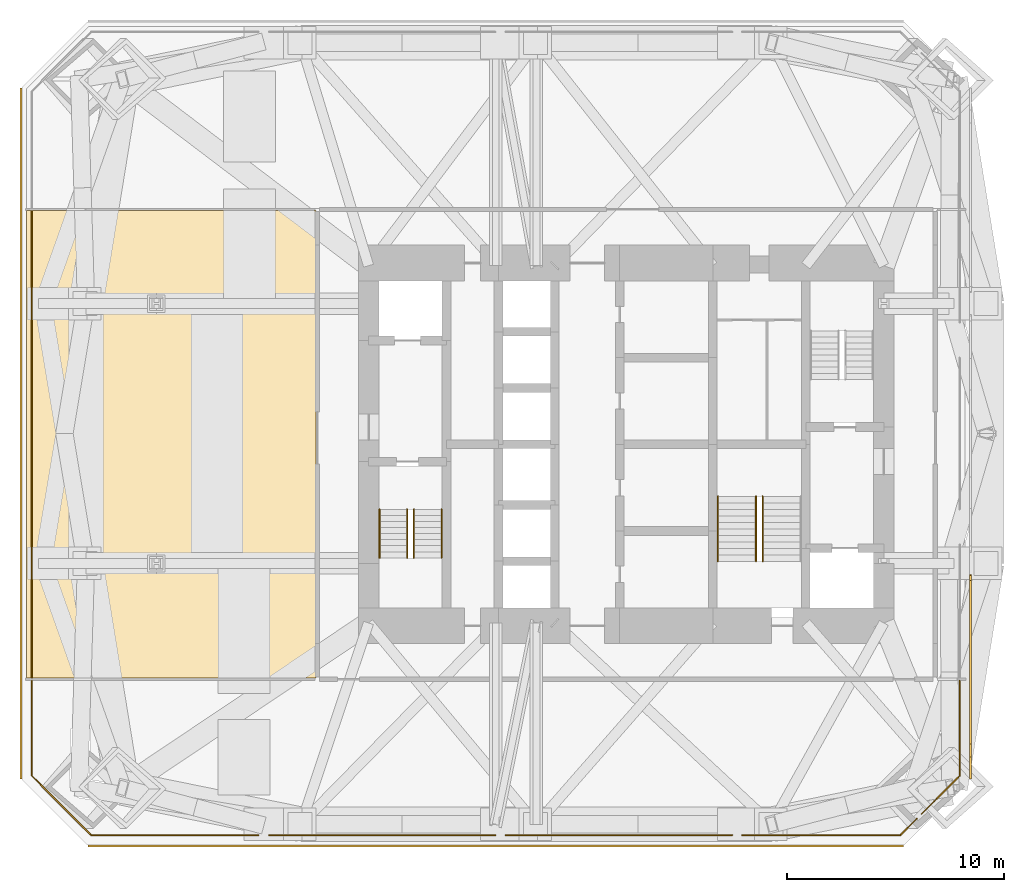
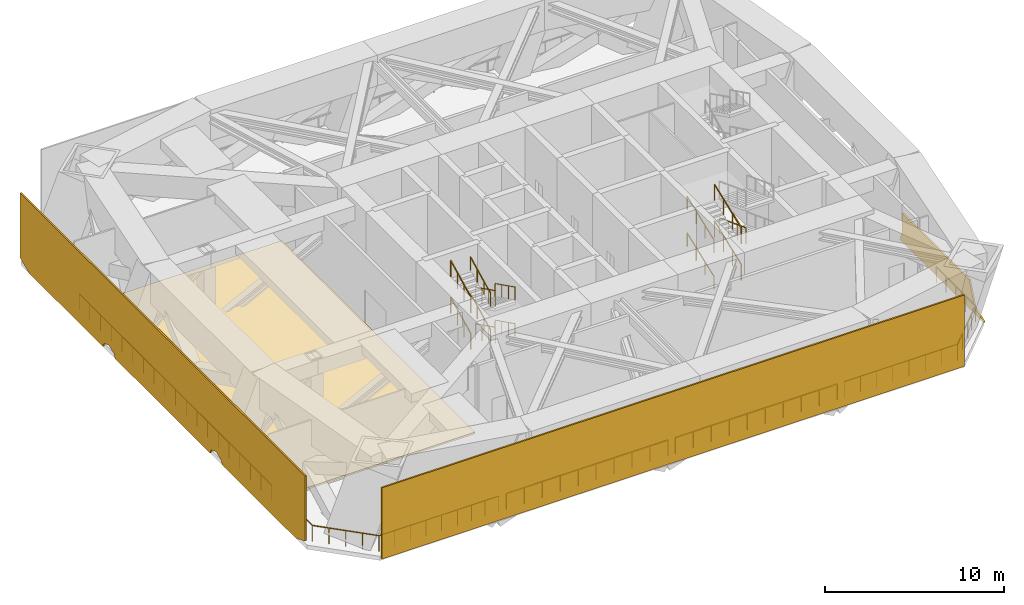
# One storey, part 7 of 8: 24 railings, 3 shading devices, 1 covering.
"""IFC4 building model written with IfcOpenShell, lengths in metres."""

from ifc_helpers import new_model, si_unit, direction, frame, origin, origin_2d, place, context, subcontext, project, spatial, polyline, rectangle, circle, outline, extrude, material, layer, layer_set, constituent, constituent_set, type_object, element, save


model = new_model("IFC4")

# Units and contexts
model_context = context("Model", 3, precision=1e-05, world=origin(), true_north=direction((0.0, 1.0)))
body_context = subcontext(model_context, "Body", "Model", "MODEL_VIEW")
ifc_project = project(units=[si_unit("LENGTHUNIT", "METRE"), si_unit("AREAUNIT", "SQUARE_METRE"), si_unit("VOLUMEUNIT", "CUBIC_METRE"), si_unit("PLANEANGLEUNIT", "RADIAN"), si_unit("MASSUNIT", "GRAM", prefix="KILO")], contexts=[model_context])

# Site, building, storey
site_placement = place(None, origin())
site = spatial("IfcSite", under=ifc_project, at=site_placement, CompositionType="ELEMENT")
building_placement = place(site_placement, origin())
building = spatial("IfcBuilding", under=site, at=building_placement, Name="Jalousie Tower", CompositionType="ELEMENT")
storey_placement = place(building_placement, frame((0.0, 0.0, 79.75)))
storey = spatial("IfcBuildingStorey", under=building, at=storey_placement, Name="L21", CompositionType="ELEMENT", Elevation=79.75)

# Covering
ifc_material_1 = material(Name="Sand-cement screed on resilient layer", Category="concrete")
ifc_layer_1 = layer(ifc_material_1, 0.1201171875)
ifc_layer_set_1 = layer_set([ifc_layer_1], Name="Sand-cement screed on resilient layer")
covering_type = type_object("IfcCoveringType", Name="FLOATING PLANT SCREED 120", PredefinedType="FLOORING", material=ifc_layer_set_1)
covering_placement = place(storey_placement, origin())
element("IfcCovering", 1, at=covering_placement, inside=storey, type_object=covering_type, Name="Floating screed Air handling plant room", PredefinedType="FLOORING", context=body_context, shape_type="SweptSolid", body=[
    extrude(outline(polyline([(17.574951171875, 7.699951171875), (4.199951171875, 7.699951171875), (4.199951171875, 29.300048828125), (17.574951171875, 29.300048828125), (17.574951171875, 7.699951171875)])), origin(), (0.0, 0.0, 1.0), 0.1201171875),
])

# Railings
ifc_material_2 = material(Name="Stainless steel AISI 316", Category="steel")
railing_type_1 = type_object("IfcRailingType", Name="PLANT GUARDRAIL 1100", PredefinedType="GUARDRAIL", material=ifc_material_2)
railing_1_placement = place(storey_placement, frame((7.186279296875, 0.449951171875, 0.0)))
element("IfcRailing", 2, at=railing_1_placement, inside=storey, type_object=railing_type_1, Name="Plant floor guard L21 1", PredefinedType="GUARDRAIL", context=body_context, shape_type="SweptSolid", body=[
    extrude(rectangle(XDim=0.048095703125, YDim=0.048095703125, at=origin_2d()), frame((0.0, 0.0, 1.076171875), z_axis=(-0.707106781187, 0.707106781187, 0.0), x_axis=(-0.707106781187, -0.707106781187, 0.0)), (0.0, 0.0, 1.0), 3.869873046875),
    extrude(circle(Radius=0.02099609375, at=origin_2d()), origin(), (0.0, 0.0, 1.0), 1.052001953125),
    extrude(circle(Radius=0.02099609375, at=origin_2d()), frame((-0.68408203125, 0.68408203125, 0.0)), (0.0, 0.0, 1.0), 1.052001953125),
    extrude(circle(Radius=0.02099609375, at=origin_2d()), frame((-1.3681640625, 1.3681640625, 0.0)), (0.0, 0.0, 1.0), 1.052001953125),
    extrude(circle(Radius=0.02099609375, at=origin_2d()), frame((-2.05224609375, 2.05224609375, 0.0)), (0.0, 0.0, 1.0), 1.052001953125),
    extrude(circle(Radius=0.02099609375, at=origin_2d()), frame((-2.736328125, 2.736328125, 0.0)), (0.0, 0.0, 1.0), 1.052001953125),
])
railing_2_placement = place(storey_placement, frame((4.449951171875, 3.186279296875, 0.0)))
element("IfcRailing", 3, at=railing_2_placement, inside=storey, type_object=railing_type_1, Name="Plant floor guard L21 2", PredefinedType="GUARDRAIL", context=body_context, shape_type="SweptSolid", body=[
    extrude(rectangle(XDim=0.048095703125, YDim=0.048095703125, at=origin_2d()), frame((0.0, 0.0, 1.076171875), z_axis=(0.0, 1.0, 0.0), x_axis=(-1.0, 0.0, 0.0)), (0.0, 0.0, 1.0), 4.393798828125),
    extrude(circle(Radius=0.02099609375, at=origin_2d()), origin(), (0.0, 0.0, 1.0), 1.052001953125),
    extrude(circle(Radius=0.02099609375, at=origin_2d()), frame((0.0, 1.098388671875, 0.0)), (0.0, 0.0, 1.0), 1.052001953125),
    extrude(circle(Radius=0.02099609375, at=origin_2d()), frame((0.0, 2.19677734375, 0.0)), (0.0, 0.0, 1.0), 1.052001953125),
    extrude(circle(Radius=0.02099609375, at=origin_2d()), frame((0.0, 3.29541015625, 0.0)), (0.0, 0.0, 1.0), 1.052001953125),
    extrude(circle(Radius=0.02099609375, at=origin_2d()), frame((0.0, 4.393798828125, 0.0)), (0.0, 0.0, 1.0), 1.052001953125),
])
railing_3_placement = place(storey_placement, frame((4.449951171875, 7.719970703125, 0.0)))
element("IfcRailing", 4, at=railing_3_placement, inside=storey, type_object=railing_type_1, Name="Plant floor guard L21 3", PredefinedType="GUARDRAIL", context=body_context, shape_type="SweptSolid", body=[
    extrude(rectangle(XDim=0.048095703125, YDim=0.048095703125, at=origin_2d()), frame((0.0, 0.0, 1.076171875), z_axis=(0.0, 1.0, 0.0), x_axis=(-1.0, 0.0, 0.0)), (0.0, 0.0, 1.0), 21.56005859375),
    extrude(circle(Radius=0.02099609375, at=origin_2d()), origin(), (0.0, 0.0, 1.0), 1.052001953125),
    extrude(circle(Radius=0.02099609375, at=origin_2d()), frame((0.0, 1.19775390625, 0.0)), (0.0, 0.0, 1.0), 1.052001953125),
    extrude(circle(Radius=0.02099609375, at=origin_2d()), frame((0.0, 2.3955078125, 0.0)), (0.0, 0.0, 1.0), 1.052001953125),
    extrude(circle(Radius=0.02099609375, at=origin_2d()), frame((0.0, 3.59326171875, 0.0)), (0.0, 0.0, 1.0), 1.052001953125),
    extrude(circle(Radius=0.02099609375, at=origin_2d()), frame((0.0, 4.791015625, 0.0)), (0.0, 0.0, 1.0), 1.052001953125),
    extrude(circle(Radius=0.02099609375, at=origin_2d()), frame((0.0, 5.989013671875, 0.0)), (0.0, 0.0, 1.0), 1.052001953125),
    extrude(circle(Radius=0.02099609375, at=origin_2d()), frame((0.0, 7.186767578125, 0.0)), (0.0, 0.0, 1.0), 1.052001953125),
    extrude(circle(Radius=0.02099609375, at=origin_2d()), frame((0.0, 8.384521484375, 0.0)), (0.0, 0.0, 1.0), 1.052001953125),
    extrude(circle(Radius=0.02099609375, at=origin_2d()), frame((0.0, 9.582275390625, 0.0)), (0.0, 0.0, 1.0), 1.052001953125),
    extrude(circle(Radius=0.02099609375, at=origin_2d()), frame((0.0, 10.780029296875, 0.0)), (0.0, 0.0, 1.0), 1.052001953125),
    extrude(circle(Radius=0.02099609375, at=origin_2d()), frame((0.0, 11.977783203125, 0.0)), (0.0, 0.0, 1.0), 1.052001953125),
    extrude(circle(Radius=0.02099609375, at=origin_2d()), frame((0.0, 13.175537109375, 0.0)), (0.0, 0.0, 1.0), 1.052001953125),
    extrude(circle(Radius=0.02099609375, at=origin_2d()), frame((0.0, 14.373291015625, 0.0)), (0.0, 0.0, 1.0), 1.052001953125),
    extrude(circle(Radius=0.02099609375, at=origin_2d()), frame((0.0, 15.571044921875, 0.0)), (0.0, 0.0, 1.0), 1.052001953125),
    extrude(circle(Radius=0.02099609375, at=origin_2d()), frame((0.0, 16.76904296875, 0.0)), (0.0, 0.0, 1.0), 1.052001953125),
    extrude(circle(Radius=0.02099609375, at=origin_2d()), frame((0.0, 17.966796875, 0.0)), (0.0, 0.0, 1.0), 1.052001953125),
    extrude(circle(Radius=0.02099609375, at=origin_2d()), frame((0.0, 19.16455078125, 0.0)), (0.0, 0.0, 1.0), 1.052001953125),
    extrude(circle(Radius=0.02099609375, at=origin_2d()), frame((0.0, 20.3623046875, 0.0)), (0.0, 0.0, 1.0), 1.052001953125),
    extrude(circle(Radius=0.02099609375, at=origin_2d()), frame((0.0, 21.56005859375, 0.0)), (0.0, 0.0, 1.0), 1.052001953125),
])
railing_4_placement = place(storey_placement, frame((47.300048828125, 7.580078125, 0.0)))
element("IfcRailing", 5, at=railing_4_placement, inside=storey, type_object=railing_type_1, Name="Plant floor guard L21 12", PredefinedType="GUARDRAIL", context=body_context, shape_type="SweptSolid", body=[
    extrude(rectangle(XDim=0.048095703125, YDim=0.048095703125, at=origin_2d()), frame((0.0, 0.0, 1.076171875), z_axis=(0.0, -1.0, 0.0), x_axis=(1.0, 0.0, 0.0)), (0.0, 0.0, 1.0), 4.393798828125),
    extrude(circle(Radius=0.02099609375, at=origin_2d()), origin(), (0.0, 0.0, 1.0), 1.052001953125),
    extrude(circle(Radius=0.02099609375, at=origin_2d()), frame((0.0, -1.098388671875, 0.0)), (0.0, 0.0, 1.0), 1.052001953125),
    extrude(circle(Radius=0.02099609375, at=origin_2d()), frame((0.0, -2.19677734375, 0.0)), (0.0, 0.0, 1.0), 1.052001953125),
    extrude(circle(Radius=0.02099609375, at=origin_2d()), frame((0.0, -3.29541015625, 0.0)), (0.0, 0.0, 1.0), 1.052001953125),
    extrude(circle(Radius=0.02099609375, at=origin_2d()), frame((0.0, -4.393798828125, 0.0)), (0.0, 0.0, 1.0), 1.052001953125),
])
railing_5_placement = place(storey_placement, frame((45.324951171875, 1.21142578125, 0.0)))
element("IfcRailing", 6, at=railing_5_placement, inside=storey, type_object=railing_type_1, Name="Plant floor guard L21 17", PredefinedType="GUARDRAIL", context=body_context, shape_type="SweptSolid", body=[
    extrude(rectangle(XDim=0.048095703125, YDim=0.048095703125, at=origin_2d()), frame((0.0, 0.0, 1.076171875), z_axis=(-0.706993399199, -0.707220144997, 0.0), x_axis=(0.707220144997, -0.706993399199, 0.0)), (0.0, 0.0, 1.0), 1.07666015625),
    extrude(circle(Radius=0.02099609375, at=origin_2d()), origin(), (0.0, 0.0, 1.0), 1.052001953125),
    extrude(circle(Radius=0.02099609375, at=origin_2d()), frame((-0.76123046875, -0.761474609375, 0.0)), (0.0, 0.0, 1.0), 1.052001953125),
])
railing_6_placement = place(storey_placement, frame((47.300048828125, 3.186279296875, 0.0)))
element("IfcRailing", 7, at=railing_6_placement, inside=storey, type_object=railing_type_1, Name="Plant floor guard L21 18", PredefinedType="GUARDRAIL", context=body_context, shape_type="SweptSolid", body=[
    extrude(rectangle(XDim=0.048095703125, YDim=0.048095703125, at=origin_2d()), frame((0.0, 0.0, 1.076171875), z_axis=(-0.70715585345, -0.707057705517, 0.0), x_axis=(0.707057705517, -0.70715585345, 0.0)), (0.0, 0.0, 1.0), 2.487548828125),
    extrude(circle(Radius=0.02099609375, at=origin_2d()), origin(), (0.0, 0.0, 1.0), 1.052001953125),
    extrude(circle(Radius=0.02099609375, at=origin_2d()), frame((-0.58642578125, -0.586181640625, 0.0)), (0.0, 0.0, 1.0), 1.052001953125),
    extrude(circle(Radius=0.02099609375, at=origin_2d()), frame((-1.172607421875, -1.172607421875, 0.0)), (0.0, 0.0, 1.0), 1.052001953125),
    extrude(circle(Radius=0.02099609375, at=origin_2d()), frame((-1.759033203125, -1.7587890625, 0.0)), (0.0, 0.0, 1.0), 1.052001953125),
])
railing_7_placement = place(storey_placement, frame((12.22998046875, 0.449951171875, 0.0)))
element("IfcRailing", 8, at=railing_7_placement, inside=storey, type_object=railing_type_1, Name="Plant floor guard L21 19", PredefinedType="GUARDRAIL", context=body_context, shape_type="SweptSolid", body=[
    extrude(rectangle(XDim=0.048095703125, YDim=0.048095703125, at=origin_2d()), frame((0.0, 0.0, 1.076171875), z_axis=(-1.0, 0.0, 0.0), x_axis=(0.0, -1.0, 0.0)), (0.0, 0.0, 1.0), 5.043701171875),
    extrude(circle(Radius=0.02099609375, at=origin_2d()), origin(), (0.0, 0.0, 1.0), 1.052001953125),
    extrude(circle(Radius=0.02099609375, at=origin_2d()), frame((-1.0087890625, 0.0, 0.0)), (0.0, 0.0, 1.0), 1.052001953125),
    extrude(circle(Radius=0.02099609375, at=origin_2d()), frame((-2.017578125, 0.0, 0.0)), (0.0, 0.0, 1.0), 1.052001953125),
    extrude(circle(Radius=0.02099609375, at=origin_2d()), frame((-3.026123046875, 0.0, 0.0)), (0.0, 0.0, 1.0), 1.052001953125),
    extrude(circle(Radius=0.02099609375, at=origin_2d()), frame((-4.034912109375, 0.0, 0.0)), (0.0, 0.0, 1.0), 1.052001953125),
    extrude(circle(Radius=0.02099609375, at=origin_2d()), frame((-5.043701171875, 0.0, 0.0)), (0.0, 0.0, 1.0), 1.052001953125),
])
railing_8_placement = place(storey_placement, frame((14.91748046875, 0.449951171875, 0.0)))
element("IfcRailing", 9, at=railing_8_placement, inside=storey, type_object=railing_type_1, Name="Plant floor guard L21 20", PredefinedType="GUARDRAIL", context=body_context, shape_type="SweptSolid", body=[
    extrude(rectangle(XDim=0.048095703125, YDim=0.048095703125, at=origin_2d()), frame((0.0, 0.0, 1.076171875), z_axis=(-1.0, 0.0, 0.0), x_axis=(0.0, -1.0, 0.0)), (0.0, 0.0, 1.0), 2.6474609375),
    extrude(circle(Radius=0.02099609375, at=origin_2d()), origin(), (0.0, 0.0, 1.0), 1.052001953125),
    extrude(circle(Radius=0.02099609375, at=origin_2d()), frame((-0.882568359375, 0.0, 0.0)), (0.0, 0.0, 1.0), 1.052001953125),
    extrude(circle(Radius=0.02099609375, at=origin_2d()), frame((-1.764892578125, 0.0, 0.0)), (0.0, 0.0, 1.0), 1.052001953125),
    extrude(circle(Radius=0.02099609375, at=origin_2d()), frame((-2.6474609375, 0.0, 0.0)), (0.0, 0.0, 1.0), 1.052001953125),
])
railing_9_placement = place(storey_placement, frame((25.85498046875, 0.449951171875, 0.0)))
element("IfcRailing", 10, at=railing_9_placement, inside=storey, type_object=railing_type_1, Name="Plant floor guard L21 21", PredefinedType="GUARDRAIL", context=body_context, shape_type="SweptSolid", body=[
    extrude(rectangle(XDim=0.048095703125, YDim=0.048095703125, at=origin_2d()), frame((0.0, 0.0, 1.076171875), z_axis=(-1.0, 0.0, 0.0), x_axis=(0.0, -1.0, 0.0)), (0.0, 0.0, 1.0), 10.451904296875),
    extrude(circle(Radius=0.02099609375, at=origin_2d()), origin(), (0.0, 0.0, 1.0), 1.052001953125),
    extrude(circle(Radius=0.02099609375, at=origin_2d()), frame((-1.161376953125, 0.0, 0.0)), (0.0, 0.0, 1.0), 1.052001953125),
    extrude(circle(Radius=0.02099609375, at=origin_2d()), frame((-2.32275390625, 0.0, 0.0)), (0.0, 0.0, 1.0), 1.052001953125),
    extrude(circle(Radius=0.02099609375, at=origin_2d()), frame((-3.48388671875, 0.0, 0.0)), (0.0, 0.0, 1.0), 1.052001953125),
    extrude(circle(Radius=0.02099609375, at=origin_2d()), frame((-4.645263671875, 0.0, 0.0)), (0.0, 0.0, 1.0), 1.052001953125),
    extrude(circle(Radius=0.02099609375, at=origin_2d()), frame((-5.806640625, 0.0, 0.0)), (0.0, 0.0, 1.0), 1.052001953125),
    extrude(circle(Radius=0.02099609375, at=origin_2d()), frame((-6.968017578125, 0.0, 0.0)), (0.0, 0.0, 1.0), 1.052001953125),
    extrude(circle(Radius=0.02099609375, at=origin_2d()), frame((-8.129150390625, 0.0, 0.0)), (0.0, 0.0, 1.0), 1.052001953125),
    extrude(circle(Radius=0.02099609375, at=origin_2d()), frame((-9.29052734375, 0.0, 0.0)), (0.0, 0.0, 1.0), 1.052001953125),
    extrude(circle(Radius=0.02099609375, at=origin_2d()), frame((-10.451904296875, 0.0, 0.0)), (0.0, 0.0, 1.0), 1.052001953125),
])
railing_10_placement = place(storey_placement, frame((36.79248046875, 0.449951171875, 0.0)))
element("IfcRailing", 11, at=railing_10_placement, inside=storey, type_object=railing_type_1, Name="Plant floor guard L21 22", PredefinedType="GUARDRAIL", context=body_context, shape_type="SweptSolid", body=[
    extrude(rectangle(XDim=0.048095703125, YDim=0.048095703125, at=origin_2d()), frame((0.0, 0.0, 1.076171875), z_axis=(-1.0, 0.0, 0.0), x_axis=(0.0, -1.0, 0.0)), (0.0, 0.0, 1.0), 10.466064453125),
    extrude(circle(Radius=0.02099609375, at=origin_2d()), origin(), (0.0, 0.0, 1.0), 1.052001953125),
    extrude(circle(Radius=0.02099609375, at=origin_2d()), frame((-1.162841796875, 0.0, 0.0)), (0.0, 0.0, 1.0), 1.052001953125),
    extrude(circle(Radius=0.02099609375, at=origin_2d()), frame((-2.32568359375, 0.0, 0.0)), (0.0, 0.0, 1.0), 1.052001953125),
    extrude(circle(Radius=0.02099609375, at=origin_2d()), frame((-3.48876953125, 0.0, 0.0)), (0.0, 0.0, 1.0), 1.052001953125),
    extrude(circle(Radius=0.02099609375, at=origin_2d()), frame((-4.651611328125, 0.0, 0.0)), (0.0, 0.0, 1.0), 1.052001953125),
    extrude(circle(Radius=0.02099609375, at=origin_2d()), frame((-5.814453125, 0.0, 0.0)), (0.0, 0.0, 1.0), 1.052001953125),
    extrude(circle(Radius=0.02099609375, at=origin_2d()), frame((-6.977294921875, 0.0, 0.0)), (0.0, 0.0, 1.0), 1.052001953125),
    extrude(circle(Radius=0.02099609375, at=origin_2d()), frame((-8.140380859375, 0.0, 0.0)), (0.0, 0.0, 1.0), 1.052001953125),
    extrude(circle(Radius=0.02099609375, at=origin_2d()), frame((-9.30322265625, 0.0, 0.0)), (0.0, 0.0, 1.0), 1.052001953125),
    extrude(circle(Radius=0.02099609375, at=origin_2d()), frame((-10.466064453125, 0.0, 0.0)), (0.0, 0.0, 1.0), 1.052001953125),
])
railing_11_placement = place(storey_placement, frame((44.563720703125, 0.449951171875, 0.0)))
element("IfcRailing", 12, at=railing_11_placement, inside=storey, type_object=railing_type_1, Name="Plant floor guard L21 23", PredefinedType="GUARDRAIL", context=body_context, shape_type="SweptSolid", body=[
    extrude(rectangle(XDim=0.048095703125, YDim=0.048095703125, at=origin_2d()), frame((0.0, 0.0, 1.076171875), z_axis=(-1.0, 0.0, 0.0), x_axis=(0.0, -1.0, 0.0)), (0.0, 0.0, 1.0), 7.314208984375),
    extrude(circle(Radius=0.02099609375, at=origin_2d()), origin(), (0.0, 0.0, 1.0), 1.052001953125),
    extrude(circle(Radius=0.02099609375, at=origin_2d()), frame((-1.044921875, 0.0, 0.0)), (0.0, 0.0, 1.0), 1.052001953125),
    extrude(circle(Radius=0.02099609375, at=origin_2d()), frame((-2.08984375, 0.0, 0.0)), (0.0, 0.0, 1.0), 1.052001953125),
    extrude(circle(Radius=0.02099609375, at=origin_2d()), frame((-3.134765625, 0.0, 0.0)), (0.0, 0.0, 1.0), 1.052001953125),
    extrude(circle(Radius=0.02099609375, at=origin_2d()), frame((-4.179443359375, 0.0, 0.0)), (0.0, 0.0, 1.0), 1.052001953125),
    extrude(circle(Radius=0.02099609375, at=origin_2d()), frame((-5.224365234375, 0.0, 0.0)), (0.0, 0.0, 1.0), 1.052001953125),
    extrude(circle(Radius=0.02099609375, at=origin_2d()), frame((-6.269287109375, 0.0, 0.0)), (0.0, 0.0, 1.0), 1.052001953125),
    extrude(circle(Radius=0.02099609375, at=origin_2d()), frame((-7.314208984375, 0.0, 0.0)), (0.0, 0.0, 1.0), 1.052001953125),
])

# Shading devices
ifc_material_3 = material(Name="Aluminium storm louvres", Category="aluminium")
ifc_layer_2 = layer(ifc_material_3, 0.10009765625)
ifc_layer_set_2 = layer_set([ifc_layer_2], Name="Aluminium storm louvres")
shading_device_type = type_object("IfcShadingDeviceType", Name="PLANT LOUVRE SCREEN", PredefinedType="JALOUSIE", material=ifc_layer_set_2)
shading_device_1_placement = place(storey_placement, frame((44.699951171875, -0.10009765625, -0.14990234375), z_axis=(0.0, -1.0, 0.0), x_axis=(0.0, 0.0, 1.0)))
element("IfcShadingDevice", 13, at=shading_device_1_placement, inside=storey, type_object=shading_device_type, Name="Plant louvre screen L21 1", PredefinedType="JALOUSIE", context=body_context, shape_type="SweptSolid", body=[
    extrude(outline(polyline([(0.0, 0.0), (4.869873046875, 0.0), (4.869873046875, 37.64990234375), (0.0, 37.64990234375), (0.0, 0.0)])), origin(), (0.0, 0.0, -1.0), 0.10009765625),
])
shading_device_2_placement = place(storey_placement, frame((47.85009765625, 3.050048828125, -0.14990234375), z_axis=(1.0, 0.0, 0.0), x_axis=(0.0, 1.0, 0.0)))
element("IfcShadingDevice", 14, at=shading_device_2_placement, inside=storey, type_object=shading_device_type, Name="Plant louvre screen L21 2", PredefinedType="JALOUSIE", context=body_context, shape_type="SweptSolid", body=[
    extrude(outline(polyline([(0.0, 0.0), (9.43701171875, 0.0), (9.38427734375, 0.021728515625), (9.14990234375, 0.58740234375), (9.14990234375, 1.949951171875), (1.611328125, 1.949951171875), (1.016845703125, 0.464599609375), (0.0, 0.04345703125), (0.0, 0.0)])), origin(), (0.0, 0.0, -1.0), 0.10009765625),
])
shading_device_3_placement = place(storey_placement, frame((3.89990234375, 34.949951171875, 4.719970703125), z_axis=(-1.0, 0.0, 0.0), x_axis=(0.0, 0.0, -1.0)))
element("IfcShadingDevice", 15, at=shading_device_3_placement, inside=storey, type_object=shading_device_type, Name="Plant louvre screen L21 6", PredefinedType="JALOUSIE", context=body_context, shape_type="SweptSolid", body=[
    extrude(outline(polyline([(0.0, 0.0), (4.426025390625, 0.0), (4.869873046875, 1.026123046875), (4.869873046875, 9.26904296875), (4.591796875, 9.38427734375), (4.357421875, 9.949951171875), (4.591796875, 10.515625), (4.869873046875, 10.630859375), (4.869873046875, 21.26904296875), (4.591796875, 21.38427734375), (4.357421875, 21.949951171875), (4.591796875, 22.515625), (4.869873046875, 22.630859375), (4.869873046875, 30.873779296875), (4.426025390625, 31.89990234375), (0.0, 31.89990234375), (0.0, 0.0)])), origin(), (0.0, 0.0, -1.0), 0.10009765625),
])

# Railings
ifc_material_4 = material(Name="Steel ASTM A500 Grade C", Category="steel")
ifc_constituent_1 = constituent(ifc_material_4, Name="Body")
ifc_material_5 = material(Name="Hot-dip galvanised zinc coating")
ifc_constituent_2 = constituent(ifc_material_5, Name="Finish")
ifc_constituent_set_1 = constituent_set(constituents=[ifc_constituent_1, ifc_constituent_2])
railing_type_2 = type_object("IfcRailingType", Name="STAIR GUARD 1100", PredefinedType="GUARDRAIL", material=ifc_constituent_set_1)
railing_12_placement = place(storey_placement, frame((22.092529296875, 15.49755859375, 0.138916015625)))
element("IfcRailing", 16, at=railing_12_placement, inside=storey, type_object=railing_type_2, Name="Exit stair A guard L21 flight 1", PredefinedType="GUARDRAIL", context=body_context, shape_type="SweptSolid", body=[
    extrude(rectangle(XDim=0.048095703125, YDim=0.048095703125, at=origin_2d()), frame((0.0, 0.0, 1.076171875), z_axis=(0.0, -0.895848192791, 0.444360231651), x_axis=(1.0, 0.0, 0.0)), (0.0, 0.0, 1.0), 2.50048828125),
    extrude(circle(Radius=0.02099609375, at=origin_2d()), origin(), (0.0, 0.0, 1.0), 1.052001953125),
    extrude(circle(Radius=0.02099609375, at=origin_2d()), frame((0.0, -0.74658203125, 0.370361328125)), (0.0, 0.0, 1.0), 1.052001953125),
    extrude(circle(Radius=0.02099609375, at=origin_2d()), frame((0.0, -1.493408203125, 0.74072265625)), (0.0, 0.0, 1.0), 1.052001953125),
    extrude(circle(Radius=0.02099609375, at=origin_2d()), frame((0.0, -2.239990234375, 1.111083984375)), (0.0, 0.0, 1.0), 1.052001953125),
])
railing_13_placement = place(storey_placement, frame((20.5048828125, 13.257568359375, 1.388916015625)))
element("IfcRailing", 17, at=railing_13_placement, inside=storey, type_object=railing_type_2, Name="Exit stair A guard L21 flight 2", PredefinedType="GUARDRAIL", context=body_context, shape_type="SweptSolid", body=[
    extrude(rectangle(XDim=0.048095703125, YDim=0.048095703125, at=origin_2d()), frame((0.0, 0.0, 1.076171875), z_axis=(0.0, 0.895848192791, 0.444360231651), x_axis=(-1.0, 0.0, 0.0)), (0.0, 0.0, 1.0), 2.50048828125),
    extrude(circle(Radius=0.02099609375, at=origin_2d()), origin(), (0.0, 0.0, 1.0), 1.052001953125),
    extrude(circle(Radius=0.02099609375, at=origin_2d()), frame((0.0, 0.74658203125, 0.370361328125)), (0.0, 0.0, 1.0), 1.052001953125),
    extrude(circle(Radius=0.02099609375, at=origin_2d()), frame((0.0, 1.493408203125, 0.74072265625)), (0.0, 0.0, 1.0), 1.052001953125),
    extrude(circle(Radius=0.02099609375, at=origin_2d()), frame((0.0, 2.239990234375, 1.111083984375)), (0.0, 0.0, 1.0), 1.052001953125),
])
railing_14_placement = place(storey_placement, frame((22.092529296875, 15.49755859375, 2.638916015625)))
element("IfcRailing", 18, at=railing_14_placement, inside=storey, type_object=railing_type_2, Name="Exit stair A guard L21 flight 3", PredefinedType="GUARDRAIL", context=body_context, shape_type="SweptSolid", body=[
    extrude(rectangle(XDim=0.048095703125, YDim=0.048095703125, at=origin_2d()), frame((0.0, 0.0, 1.076171875), z_axis=(0.0, -0.895848192791, 0.444360231651), x_axis=(1.0, 0.0, 0.0)), (0.0, 0.0, 1.0), 2.50048828125),
    extrude(circle(Radius=0.02099609375, at=origin_2d()), origin(), (0.0, 0.0, 1.0), 1.052001953125),
    extrude(circle(Radius=0.02099609375, at=origin_2d()), frame((0.0, -0.74658203125, 0.370361328125)), (0.0, 0.0, 1.0), 1.052001953125),
    extrude(circle(Radius=0.02099609375, at=origin_2d()), frame((0.0, -1.493408203125, 0.74072265625)), (0.0, 0.0, 1.0), 1.052001953125),
    extrude(circle(Radius=0.02099609375, at=origin_2d()), frame((0.0, -2.239990234375, 1.111083984375)), (0.0, 0.0, 1.0), 1.052001953125),
])
railing_15_placement = place(storey_placement, frame((20.5048828125, 13.257568359375, 3.888916015625)))
element("IfcRailing", 19, at=railing_15_placement, inside=storey, type_object=railing_type_2, Name="Exit stair A guard L21 flight 4", PredefinedType="GUARDRAIL", context=body_context, shape_type="SweptSolid", body=[
    extrude(rectangle(XDim=0.048095703125, YDim=0.048095703125, at=origin_2d()), frame((0.0, 0.0, 1.076171875), z_axis=(0.0, 0.895848192791, 0.444360231651), x_axis=(-1.0, 0.0, 0.0)), (0.0, 0.0, 1.0), 2.50048828125),
    extrude(circle(Radius=0.02099609375, at=origin_2d()), origin(), (0.0, 0.0, 1.0), 1.052001953125),
    extrude(circle(Radius=0.02099609375, at=origin_2d()), frame((0.0, 0.74658203125, 0.370361328125)), (0.0, 0.0, 1.0), 1.052001953125),
    extrude(circle(Radius=0.02099609375, at=origin_2d()), frame((0.0, 1.493408203125, 0.74072265625)), (0.0, 0.0, 1.0), 1.052001953125),
    extrude(circle(Radius=0.02099609375, at=origin_2d()), frame((0.0, 2.239990234375, 1.111083984375)), (0.0, 0.0, 1.0), 1.052001953125),
])
railing_16_placement = place(storey_placement, frame((37.89501953125, 13.097412109375, 0.113525390625)))
element("IfcRailing", 20, at=railing_16_placement, inside=storey, type_object=railing_type_2, Name="Exit stair C guard L21 flight 1", PredefinedType="GUARDRAIL", context=body_context, shape_type="SweptSolid", body=[
    extrude(rectangle(XDim=0.048095703125, YDim=0.048095703125, at=origin_2d()), frame((0.0, 0.0, 1.076171875), z_axis=(0.0, 0.935147985876, 0.354257313985), x_axis=(-1.0, 0.0, 0.0)), (0.0, 0.0, 1.0), 3.2080078125),
    extrude(circle(Radius=0.02099609375, at=origin_2d()), origin(), (0.0, 0.0, 1.0), 1.052001953125),
    extrude(circle(Radius=0.02099609375, at=origin_2d()), frame((0.0, 1.0, 0.37890625)), (0.0, 0.0, 1.0), 1.052001953125),
    extrude(circle(Radius=0.02099609375, at=origin_2d()), frame((0.0, 2.0, 0.757568359375)), (0.0, 0.0, 1.0), 1.052001953125),
    extrude(circle(Radius=0.02099609375, at=origin_2d()), frame((0.0, 3.0, 1.136474609375)), (0.0, 0.0, 1.0), 1.052001953125),
])
railing_17_placement = place(storey_placement, frame((38.205078125, 16.097412109375, 1.363525390625)))
element("IfcRailing", 21, at=railing_17_placement, inside=storey, type_object=railing_type_2, Name="Exit stair C guard L21 flight 2", PredefinedType="GUARDRAIL", context=body_context, shape_type="SweptSolid", body=[
    extrude(rectangle(XDim=0.048095703125, YDim=0.048095703125, at=origin_2d()), frame((0.0, 0.0, 1.076171875), z_axis=(0.0, -0.935147985876, 0.354257313985), x_axis=(1.0, 0.0, 0.0)), (0.0, 0.0, 1.0), 3.2080078125),
    extrude(circle(Radius=0.02099609375, at=origin_2d()), origin(), (0.0, 0.0, 1.0), 1.052001953125),
    extrude(circle(Radius=0.02099609375, at=origin_2d()), frame((0.0, -1.0, 0.37890625)), (0.0, 0.0, 1.0), 1.052001953125),
    extrude(circle(Radius=0.02099609375, at=origin_2d()), frame((0.0, -2.0, 0.757568359375)), (0.0, 0.0, 1.0), 1.052001953125),
    extrude(circle(Radius=0.02099609375, at=origin_2d()), frame((0.0, -3.0, 1.136474609375)), (0.0, 0.0, 1.0), 1.052001953125),
])
railing_18_placement = place(storey_placement, frame((37.89501953125, 13.097412109375, 2.613525390625)))
element("IfcRailing", 22, at=railing_18_placement, inside=storey, type_object=railing_type_2, Name="Exit stair C guard L21 flight 3", PredefinedType="GUARDRAIL", context=body_context, shape_type="SweptSolid", body=[
    extrude(rectangle(XDim=0.048095703125, YDim=0.048095703125, at=origin_2d()), frame((0.0, 0.0, 1.076171875), z_axis=(0.0, 0.935147985876, 0.354257313985), x_axis=(-1.0, 0.0, 0.0)), (0.0, 0.0, 1.0), 3.2080078125),
    extrude(circle(Radius=0.02099609375, at=origin_2d()), origin(), (0.0, 0.0, 1.0), 1.052001953125),
    extrude(circle(Radius=0.02099609375, at=origin_2d()), frame((0.0, 1.0, 0.37890625)), (0.0, 0.0, 1.0), 1.052001953125),
    extrude(circle(Radius=0.02099609375, at=origin_2d()), frame((0.0, 2.0, 0.757568359375)), (0.0, 0.0, 1.0), 1.052001953125),
    extrude(circle(Radius=0.02099609375, at=origin_2d()), frame((0.0, 3.0, 1.136474609375)), (0.0, 0.0, 1.0), 1.052001953125),
])
ifc_material_6 = material(Name="Steel ASTM A500 Grade C", Category="steel")
ifc_constituent_3 = constituent(ifc_material_6, Name="Body")
ifc_material_7 = material(Name="Hot-dip galvanised zinc coating")
ifc_constituent_4 = constituent(ifc_material_7, Name="Finish")
ifc_constituent_set_2 = constituent_set(constituents=[ifc_constituent_3, ifc_constituent_4])
railing_type_3 = type_object("IfcRailingType", Name="STAIR HANDRAIL 900", PredefinedType="HANDRAIL", material=ifc_constituent_set_2)
railing_19_placement = place(storey_placement, frame((23.3701171875, 15.49755859375, 0.138916015625)))
element("IfcRailing", 23, at=railing_19_placement, inside=storey, type_object=railing_type_3, Name="Exit stair A handrail L21 flight 1", PredefinedType="HANDRAIL", context=body_context, shape_type="SweptSolid", body=[
    extrude(circle(Radius=0.02392578125, at=origin_2d()), frame((0.0, 0.0, 0.8759765625), z_axis=(0.0, -0.895848192791, 0.444360231651), x_axis=(1.0, 0.0, 0.0)), (0.0, 0.0, 1.0), 2.50048828125),
    extrude(circle(Radius=0.02099609375, at=origin_2d()), origin(), (0.0, 0.0, 1.0), 0.851806640625),
    extrude(circle(Radius=0.02099609375, at=origin_2d()), frame((0.0, -0.74658203125, 0.370361328125)), (0.0, 0.0, 1.0), 0.851806640625),
    extrude(circle(Radius=0.02099609375, at=origin_2d()), frame((0.0, -1.493408203125, 0.74072265625)), (0.0, 0.0, 1.0), 0.851806640625),
    extrude(circle(Radius=0.02099609375, at=origin_2d()), frame((0.0, -2.239990234375, 1.111083984375)), (0.0, 0.0, 1.0), 0.851806640625),
])
railing_20_placement = place(storey_placement, frame((21.78271484375, 13.257568359375, 1.388916015625)))
element("IfcRailing", 24, at=railing_20_placement, inside=storey, type_object=railing_type_3, Name="Exit stair A handrail L21 flight 2", PredefinedType="HANDRAIL", context=body_context, shape_type="SweptSolid", body=[
    extrude(circle(Radius=0.02392578125, at=origin_2d()), frame((0.0, 0.0, 0.8759765625), z_axis=(0.0, 0.895848192791, 0.444360231651), x_axis=(-1.0, 0.0, 0.0)), (0.0, 0.0, 1.0), 2.50048828125),
    extrude(circle(Radius=0.02099609375, at=origin_2d()), origin(), (0.0, 0.0, 1.0), 0.851806640625),
    extrude(circle(Radius=0.02099609375, at=origin_2d()), frame((0.0, 0.74658203125, 0.370361328125)), (0.0, 0.0, 1.0), 0.851806640625),
    extrude(circle(Radius=0.02099609375, at=origin_2d()), frame((0.0, 1.493408203125, 0.74072265625)), (0.0, 0.0, 1.0), 0.851806640625),
    extrude(circle(Radius=0.02099609375, at=origin_2d()), frame((0.0, 2.239990234375, 1.111083984375)), (0.0, 0.0, 1.0), 0.851806640625),
])
railing_21_placement = place(storey_placement, frame((23.3701171875, 15.49755859375, 2.638916015625)))
element("IfcRailing", 25, at=railing_21_placement, inside=storey, type_object=railing_type_3, Name="Exit stair A handrail L21 flight 3", PredefinedType="HANDRAIL", context=body_context, shape_type="SweptSolid", body=[
    extrude(circle(Radius=0.02392578125, at=origin_2d()), frame((0.0, 0.0, 0.8759765625), z_axis=(0.0, -0.895848192791, 0.444360231651), x_axis=(1.0, 0.0, 0.0)), (0.0, 0.0, 1.0), 2.50048828125),
    extrude(circle(Radius=0.02099609375, at=origin_2d()), origin(), (0.0, 0.0, 1.0), 0.851806640625),
    extrude(circle(Radius=0.02099609375, at=origin_2d()), frame((0.0, -0.74658203125, 0.370361328125)), (0.0, 0.0, 1.0), 0.851806640625),
    extrude(circle(Radius=0.02099609375, at=origin_2d()), frame((0.0, -1.493408203125, 0.74072265625)), (0.0, 0.0, 1.0), 0.851806640625),
    extrude(circle(Radius=0.02099609375, at=origin_2d()), frame((0.0, -2.239990234375, 1.111083984375)), (0.0, 0.0, 1.0), 0.851806640625),
])
railing_22_placement = place(storey_placement, frame((21.78271484375, 13.257568359375, 3.888916015625)))
element("IfcRailing", 26, at=railing_22_placement, inside=storey, type_object=railing_type_3, Name="Exit stair A handrail L21 flight 4", PredefinedType="HANDRAIL", context=body_context, shape_type="SweptSolid", body=[
    extrude(circle(Radius=0.02392578125, at=origin_2d()), frame((0.0, 0.0, 0.8759765625), z_axis=(0.0, 0.895848192791, 0.444360231651), x_axis=(-1.0, 0.0, 0.0)), (0.0, 0.0, 1.0), 2.50048828125),
    extrude(circle(Radius=0.02099609375, at=origin_2d()), origin(), (0.0, 0.0, 1.0), 0.851806640625),
    extrude(circle(Radius=0.02099609375, at=origin_2d()), frame((0.0, 0.74658203125, 0.370361328125)), (0.0, 0.0, 1.0), 0.851806640625),
    extrude(circle(Radius=0.02099609375, at=origin_2d()), frame((0.0, 1.493408203125, 0.74072265625)), (0.0, 0.0, 1.0), 0.851806640625),
    extrude(circle(Radius=0.02099609375, at=origin_2d()), frame((0.0, 2.239990234375, 1.111083984375)), (0.0, 0.0, 1.0), 0.851806640625),
])
for number, where, name in (
    (27, (36.1298828125, 13.097412109375, 0.113525390625), "Exit stair C handrail L21 flight 1"),
    (28, (36.1298828125, 13.097412109375, 2.613525390625), "Exit stair C handrail L21 flight 3"),
):
    element("IfcRailing", number, at=place(storey_placement, frame(where)), inside=storey, type_object=railing_type_3, Name=name, PredefinedType="HANDRAIL", context=body_context, shape_type="SweptSolid", body=[
        extrude(circle(Radius=0.02392578125, at=origin_2d()), frame((0.0, 0.0, 0.8759765625), z_axis=(0.0, 0.935147985876, 0.354257313985), x_axis=(-1.0, 0.0, 0.0)), (0.0, 0.0, 1.0), 3.2080078125),
        extrude(circle(Radius=0.02099609375, at=origin_2d()), origin(), (0.0, 0.0, 1.0), 0.851806640625),
        extrude(circle(Radius=0.02099609375, at=origin_2d()), frame((0.0, 1.0, 0.37890625)), (0.0, 0.0, 1.0), 0.851806640625),
        extrude(circle(Radius=0.02099609375, at=origin_2d()), frame((0.0, 2.0, 0.757568359375)), (0.0, 0.0, 1.0), 0.851806640625),
        extrude(circle(Radius=0.02099609375, at=origin_2d()), frame((0.0, 3.0, 1.136474609375)), (0.0, 0.0, 1.0), 0.851806640625),
    ])

save(model, "model.ifc")
